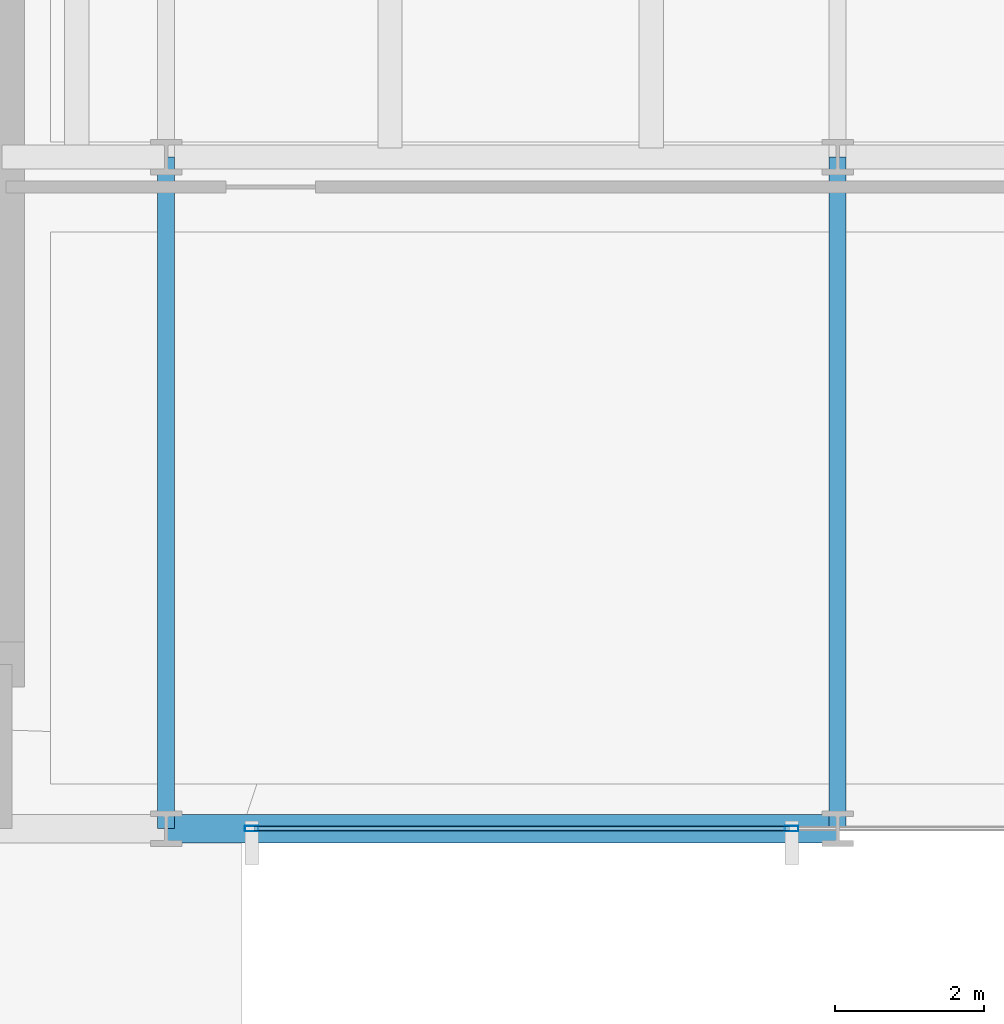
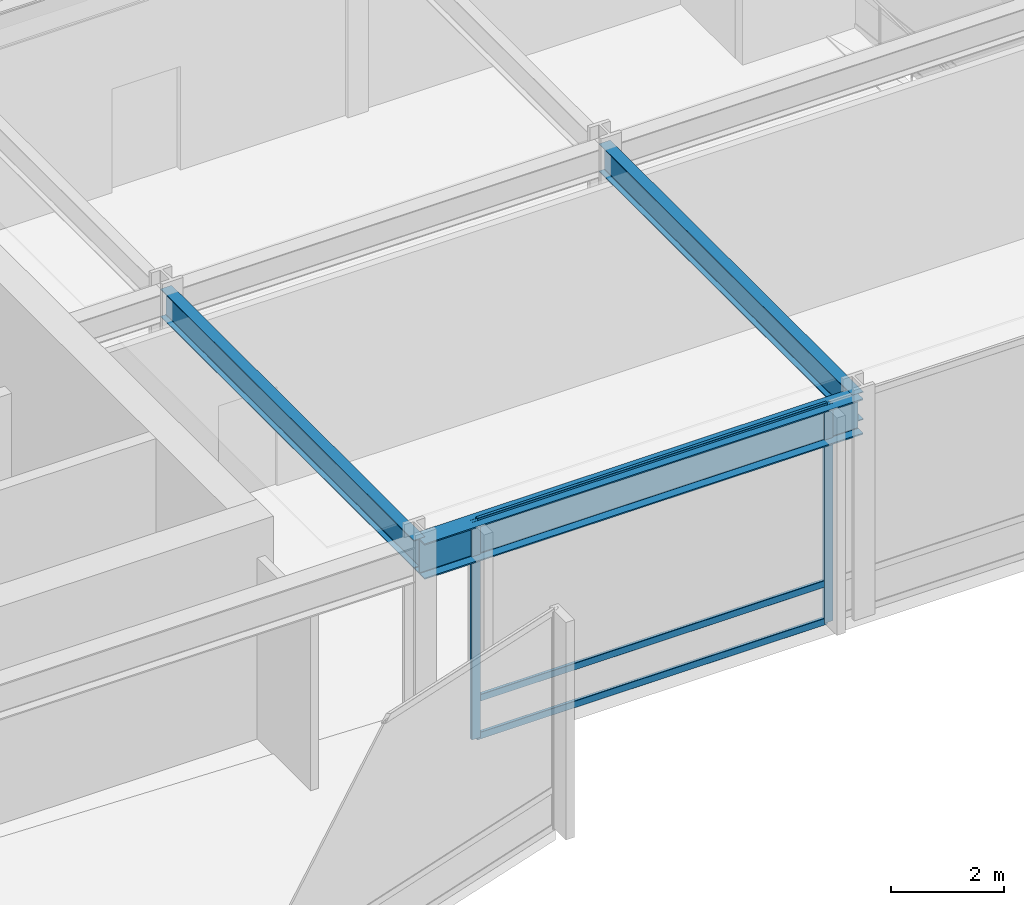
# One storey, part 13 of 39: 5 members, 3 beams, 1 element without a shape of its own.
"""IFC4 building model written with IfcOpenShell, lengths in metres."""

import ifcopenshell
import ifcopenshell.guid

model = None  # the IFC model being written
_history = None  # IfcOwnerHistory: only IFC2X3 demands one
_inside = {}  # id of a spatial element -> (the spatial element, [elements in it])
_under = {}  # id of a project, library or spatial element -> (it, [spatial elements below it])
_declared = {}  # id of a project -> (the project, [libraries it declares])
_typed = {}  # id of a type object -> (the type object, [elements of that type])
_made_of = {}  # id of a material, layer set ... -> (it, [elements and type objects made of it])


def new_model(schema):
    """Start an empty IFC model of exactly this schema.

    Asked for "IFC4X3", IfcOpenShell would pick the latest addendum, in which some entities
    have other attributes; the version numbers below select the first issue.
    IFC2X3 requires an IfcOwnerHistory on every rooted entity: one is made here for all.
    """
    global model, _history
    if schema == "IFC4X3":
        model = ifcopenshell.file(schema_version=(4, 3, 0, 0))
    else:
        model = ifcopenshell.file(schema=schema)
    _inside.clear()
    _under.clear()
    _declared.clear()
    _typed.clear()
    _made_of.clear()
    _history = None
    if model.schema == "IFC2X3":
        org = make("IfcOrganization", Name="unknown")
        user = make(
            "IfcPersonAndOrganization",
            ThePerson=make("IfcPerson", FamilyName="unknown"),
            TheOrganization=org,
        )
        app = make(
            "IfcApplication",
            ApplicationDeveloper=org,
            Version="unknown",
            ApplicationFullName="unknown",
            ApplicationIdentifier="unknown",
        )
        _history = make(
            "IfcOwnerHistory",
            OwningUser=user,
            OwningApplication=app,
            ChangeAction="ADDED",
            CreationDate=0,
        )
    return model


def make(cls, **values):
    """One entity of the class cls with the attributes given. An attribute that is None is left unset."""
    return model.create_entity(
        cls, **{name: value for name, value in values.items() if value is not None}
    )


def rooted(cls, **values):
    """An entity with a GlobalId (a new one), such as an element, a storey or a relation."""
    return make(cls, GlobalId=ifcopenshell.guid.new(), OwnerHistory=_history, **values)


def si_unit(unit_type, name, prefix=None):
    """IfcSIUnit, for example si_unit("LENGTHUNIT", "METRE", prefix="MILLI")."""
    return make("IfcSIUnit", UnitType=unit_type, Prefix=prefix, Name=name)


def assignment(units):
    """IfcUnitAssignment: the units of a project."""
    return None if units is None else make("IfcUnitAssignment", Units=units)


def point(xyz):
    """IfcCartesianPoint."""
    return None if xyz is None else make("IfcCartesianPoint", Coordinates=xyz)


def direction(xyz):
    """IfcDirection."""
    return None if xyz is None else make("IfcDirection", DirectionRatios=xyz)


def frame(location, z_axis=None, x_axis=None):
    """IfcAxis2Placement3D, a coordinate frame: its origin and axes. An axis left out is left unset."""
    return make(
        "IfcAxis2Placement3D",
        Location=point(location),
        Axis=direction(z_axis),
        RefDirection=direction(x_axis),
    )


def frame_2d(location, x_axis=None):
    """IfcAxis2Placement2D, a coordinate frame in the plane: its origin and x axis."""
    return make(
        "IfcAxis2Placement2D", Location=point(location), RefDirection=direction(x_axis)
    )


def origin():
    """The frame at (0, 0, 0) with its axes left unset."""
    return frame((0.0, 0.0, 0.0))


def origin_2d():
    """The frame at (0, 0) in the plane with its x axis left unset."""
    return frame_2d((0.0, 0.0))


def place(relative_to, where):
    """IfcLocalPlacement: puts the frame where relative to a parent placement (None: the world)."""
    return make(
        "IfcLocalPlacement", PlacementRelTo=relative_to, RelativePlacement=where
    )


def context(
    kind, dimensions, precision=None, world=None, true_north=None, identifier=None
):
    """IfcGeometricRepresentationContext, for example the 3D "Model" context."""
    return make(
        "IfcGeometricRepresentationContext",
        ContextIdentifier=identifier,
        ContextType=kind,
        CoordinateSpaceDimension=dimensions,
        Precision=precision,
        WorldCoordinateSystem=world,
        TrueNorth=true_north,
    )


def subcontext(parent, identifier, kind, view, scale=None):
    """IfcGeometricRepresentationSubContext, for example "Body" below "Model"."""
    return make(
        "IfcGeometricRepresentationSubContext",
        ContextIdentifier=identifier,
        ContextType=kind,
        ParentContext=parent,
        TargetScale=scale,
        TargetView=view,
    )


def project(units=None, contexts=None):
    """IfcProject with its units and contexts."""
    return rooted(
        "IfcProject",
        Name="project",
        RepresentationContexts=contexts,
        UnitsInContext=assignment(units),
    )


def spatial(cls, under=None, at=None, **own):
    """A site, building, storey or space (cls), placed at a placement, below another one or the project."""
    s = rooted(cls, ObjectPlacement=at, **own)
    if under is not None:
        _under.setdefault(under.id(), (under, []))[1].append(s)
    return s


def profile(cls, at=None, kind="AREA", **sizes):
    """A parametric profile (cls). Its sizes go by their IFC names, for example OverallWidth=200.0."""
    return make(cls, ProfileType=kind, Position=at, **sizes)


def hollow_rectangle(**sizes):
    """IfcRectangleHollowProfileDef."""
    return profile("IfcRectangleHollowProfileDef", **sizes)


def i_section(**sizes):
    """IfcIShapeProfileDef."""
    return profile("IfcIShapeProfileDef", **sizes)


def extrude(swept, where, along, depth):
    """IfcExtrudedAreaSolid: the profile swept, set in the frame where, extruded along a direction by depth."""
    return make(
        "IfcExtrudedAreaSolid",
        SweptArea=swept,
        Position=where,
        ExtrudedDirection=direction(along),
        Depth=depth,
    )


def shape(context_of_items, identifier, shape_type, items):
    """IfcShapeRepresentation: the items that make up one representation, for example the "Body"."""
    return make(
        "IfcShapeRepresentation",
        ContextOfItems=context_of_items,
        RepresentationIdentifier=identifier,
        RepresentationType=shape_type,
        Items=items,
    )


def material(Name=None, Category=None):
    """IfcMaterial."""
    return make("IfcMaterial", Name=Name, Category=Category)


def layer(
    of_material, thickness, ventilated=None, Name=None, Category=None, Priority=None
):
    """IfcMaterialLayer: one layer of a wall or slab, of a material (None: an air gap)."""
    return make(
        "IfcMaterialLayer",
        Material=of_material,
        LayerThickness=thickness,
        IsVentilated=ventilated,
        Name=Name,
        Category=Category,
        Priority=Priority,
    )


def layer_set(layers, Name=None):
    """IfcMaterialLayerSet."""
    return make("IfcMaterialLayerSet", MaterialLayers=layers, LayerSetName=Name)


def material_profile(
    of_material, cross_section, Name=None, Category=None, Priority=None
):
    """IfcMaterialProfile: a cross section and its material."""
    return make(
        "IfcMaterialProfile",
        Name=Name,
        Material=of_material,
        Profile=cross_section,
        Priority=Priority,
        Category=Category,
    )


def profile_set(profiles, Name=None, composite=None):
    """IfcMaterialProfileSet."""
    return make(
        "IfcMaterialProfileSet",
        Name=Name,
        MaterialProfiles=profiles,
        CompositeProfile=composite,
    )


def made_of(thing, what):
    """Note that an element or type object is made of a material, layer set ...; save() writes the relation."""
    if what is not None:
        _made_of.setdefault(what.id(), (what, []))[1].append(thing)
    return thing


def type_object(cls, material=None, **own):
    """A type object (cls), such as IfcWallType, which elements share."""
    return made_of(rooted(cls, **own), material)


def element(
    cls,
    number,
    at=None,
    inside=None,
    cuts=None,
    type_object=None,
    material=None,
    context=None,
    identifier="Body",
    shape_type=None,
    held_by="IfcProductDefinitionShape",
    body=None,
    shapes=None,
    **own,
):
    """One element of the class cls, such as IfcWall. Its Tag is "e" and its number.

    at: its placement. inside: the storey or other place that contains it. cuts: it is an
    opening in that element (IfcRelVoidsElement). A single representation is given by context,
    identifier, shape_type and body (its items); several are given by shapes. held_by: the class
    of the entity that holds the representations. save() writes the other relations.
    """
    e = rooted(cls, Tag="e%d" % number, ObjectPlacement=at, **own)
    if body is not None:
        shapes = [shape(context, identifier, shape_type, body)]
    if shapes is not None:
        e.Representation = make(held_by, Representations=shapes)
    if inside is not None:
        _inside.setdefault(inside.id(), (inside, []))[1].append(e)
    if cuts is not None:
        rooted(
            "IfcRelVoidsElement", RelatingBuildingElement=cuts, RelatedOpeningElement=e
        )
    if type_object is not None:
        _typed.setdefault(type_object.id(), (type_object, []))[1].append(e)
    return made_of(e, material)


def aggregate(whole, parts):
    """IfcRelAggregates: a whole, such as a stair, and the parts it consists of."""
    return rooted("IfcRelAggregates", RelatingObject=whole, RelatedObjects=parts)


def save(model, path):
    """Write the relations noted so far, then the file.

    IfcRelAggregates (storeys below a building ...), IfcRelContainedInSpatialStructure (elements
    in a storey), IfcRelDefinesByType, IfcRelAssociatesMaterial and IfcRelDeclares: one each for
    every whole, place, type object, material and project.
    """
    for whole, parts in _under.values():
        aggregate(whole, parts)
    for where, things in _inside.values():
        rooted(
            "IfcRelContainedInSpatialStructure",
            RelatedElements=things,
            RelatingStructure=where,
        )
    for kind, things in _typed.values():
        rooted("IfcRelDefinesByType", RelatedObjects=things, RelatingType=kind)
    for what, things in _made_of.values():
        rooted("IfcRelAssociatesMaterial", RelatedObjects=things, RelatingMaterial=what)
    for by, libraries in _declared.values():
        rooted("IfcRelDeclares", RelatingContext=by, RelatedDefinitions=libraries)
    model.write(path)


model = new_model("IFC4")

# Units and contexts
model_context = context("Model", 3, precision=1e-05, world=origin(), true_north=direction((0.0, 1.0)))
body_context = subcontext(model_context, "Body", "Model", "MODEL_VIEW")
ifc_project = project(units=[si_unit("LENGTHUNIT", "METRE"), si_unit("AREAUNIT", "SQUARE_METRE"), si_unit("VOLUMEUNIT", "CUBIC_METRE"), si_unit("PLANEANGLEUNIT", "RADIAN"), si_unit("MASSUNIT", "GRAM", prefix="KILO")], contexts=[model_context])

# Site, building, storey
site_placement = place(None, origin())
site = spatial("IfcSite", under=ifc_project, at=site_placement, CompositionType="ELEMENT")
building_placement = place(site_placement, origin())
building = spatial("IfcBuilding", under=site, at=building_placement, Name="Solvaryn Broadcast Tower", CompositionType="ELEMENT")
storey_placement = place(building_placement, frame((0.0, 0.0, 84.10009765625)))
storey = spatial("IfcBuildingStorey", under=building, at=storey_placement, Name="L20", CompositionType="ELEMENT", Elevation=84.10009765625)

# Beams
ifc_material_1 = material(Name="Steel ASTM A992 Grade 50", Category="steel")
ifc_material_profile_1 = material_profile(ifc_material_1, i_section(OverallWidth=0.22802734375, OverallDepth=0.60791015625, WebThickness=0.01123046875, FlangeThickness=0.017333984375, FilletRadius=0.014892578125, at=origin_2d()))
ifc_profile_set_1 = profile_set([ifc_material_profile_1], Name="Steel ASTM A992 Grade 50")
beam_type_1 = type_object("IfcBeamType", Name="BM-B2-W24X76", PredefinedType="BEAM", material=ifc_profile_set_1)
for number, where, z_axis, x_axis, name in (
    (1, (45.0, 9.0, 4.416015625), (0.0, 1.0, 0.0), (-1.0, 0.0, 0.0), "L20 Primary Beam Y (9-18 @ X=45)"),
    (2, (54.0, 9.0, 4.416015625), (0.0, 1.0, 0.0), (-1.0, 0.0, 0.0), "L20 Primary Beam Y (9-18 @ X=54)"),
):
    element("IfcBeam", number, at=place(storey_placement, frame(where, z_axis=z_axis, x_axis=x_axis)), inside=storey, type_object=beam_type_1, Name=name, PredefinedType="BEAM", context=body_context, shape_type="SweptSolid", body=[
        extrude(i_section(OverallWidth=0.22802734375, OverallDepth=0.60791015625, WebThickness=0.01123046875, FlangeThickness=0.017333984375, FilletRadius=0.014892578125, at=origin_2d()), origin(), (0.0, 0.0, 1.0), 9.0),
    ])
ifc_material_2 = material(Name="Steel ASTM A992 Grade 50", Category="steel")
ifc_material_profile_2 = material_profile(ifc_material_2, i_section(OverallWidth=0.381103515625, OverallDepth=0.77294921875, WebThickness=0.0166015625, FlangeThickness=0.027099609375, FilletRadius=0.01806640625, at=origin_2d()))
ifc_profile_set_2 = profile_set([ifc_material_profile_2], Name="Steel ASTM A992 Grade 50")
beam_type_2 = type_object("IfcBeamType", Name="BM-SP1-W30X173", PredefinedType="USERDEFINED", material=ifc_profile_set_2)
beam_placement = place(storey_placement, frame((45.0, 9.0, 4.33349609375), z_axis=(1.0, 0.0, 0.0), x_axis=(0.0, 1.0, 0.0)))
element("IfcBeam", 3, at=beam_placement, inside=storey, type_object=beam_type_2, Name="L20 Spandrel Beam X (45-54 @ Y=9)", ObjectType="SPANDREL", PredefinedType="USERDEFINED", context=body_context, shape_type="SweptSolid", body=[
    extrude(i_section(OverallWidth=0.381103515625, OverallDepth=0.77294921875, WebThickness=0.0166015625, FlangeThickness=0.027099609375, FilletRadius=0.01806640625, at=origin_2d()), origin(), (0.0, 0.0, 1.0), 9.0),
])

# Curtain wall, members
ifc_material_3 = material(Name="Aluminium and Terracotta Unitised Curtain Wall", Category="masonry")
ifc_layer = layer(ifc_material_3, 0.25)
ifc_layer_set = layer_set([ifc_layer], Name="CW-SYS4-SKYGARDEN")
curtain_wall_type = type_object("IfcCurtainWallType", Name="CW-SYS4-SKYGARDEN", PredefinedType="NOTDEFINED", material=ifc_layer_set)
curtain_wall_placement = place(storey_placement, origin())
curtain_wall = element("IfcCurtainWall", 4, at=curtain_wall_placement, inside=storey, type_object=curtain_wall_type, Name="L20 Curtain Wall S2", PredefinedType="NOTDEFINED")
ifc_material_4 = material(Name="Anodised Aluminium 6063-T6", Category="aluminium")
ifc_material_profile_3 = material_profile(ifc_material_4, hollow_rectangle(XDim=0.074951171875, YDim=0.179931640625, WallThickness=0.00390625, InnerFilletRadius=0.00390625, OuterFilletRadius=0.008056640625, at=origin_2d()))
ifc_profile_set_3 = profile_set([ifc_material_profile_3], Name="Anodised Aluminium 6063-T6")
member_type_1 = type_object("IfcMemberType", Name="CW-MUL-180", PredefinedType="MULLION", material=ifc_profile_set_3)
member_1_placement = place(storey_placement, frame((46.14599609375, 9.0, 0.0), z_axis=(0.0, 0.0, 1.0), x_axis=(0.0, 1.0, 0.0)))
member_1 = element("IfcMember", 5, at=member_1_placement, type_object=member_type_1, Name="CWS4 mullion 1", PredefinedType="MULLION", context=body_context, shape_type="SweptSolid", body=[
    extrude(hollow_rectangle(XDim=0.074951171875, YDim=0.179931640625, WallThickness=0.00390625, InnerFilletRadius=0.00390625, OuterFilletRadius=0.008056640625, at=origin_2d()), origin(), (0.0, 0.0, 1.0), 4.719970703125),
])
member_2_placement = place(storey_placement, frame((53.383056640625, 9.0, 0.0), z_axis=(0.0, 0.0, 1.0), x_axis=(0.0, 1.0, 0.0)))
member_2 = element("IfcMember", 6, at=member_2_placement, type_object=member_type_1, Name="CWS4 mullion 2", PredefinedType="MULLION", context=body_context, shape_type="SweptSolid", body=[
    extrude(hollow_rectangle(XDim=0.074951171875, YDim=0.179931640625, WallThickness=0.00390625, InnerFilletRadius=0.00390625, OuterFilletRadius=0.008056640625, at=origin_2d()), origin(), (0.0, 0.0, 1.0), 4.719970703125),
])
ifc_material_5 = material(Name="Anodised Aluminium 6063-T6", Category="aluminium")
ifc_material_profile_4 = material_profile(ifc_material_5, hollow_rectangle(XDim=0.06494140625, YDim=0.14990234375, WallThickness=0.00390625, InnerFilletRadius=0.00390625, OuterFilletRadius=0.008056640625, at=origin_2d()))
ifc_profile_set_4 = profile_set([ifc_material_profile_4], Name="Anodised Aluminium 6063-T6")
member_type_2 = type_object("IfcMemberType", Name="CW-TRN-150", PredefinedType="USERDEFINED", material=ifc_profile_set_4)
member_3_placement = place(storey_placement, frame((46.176025390625, 9.0, 0.02978515625), z_axis=(1.0, 0.0, 0.0), x_axis=(0.0, 1.0, 0.0)))
member_3 = element("IfcMember", 7, at=member_3_placement, type_object=member_type_2, Name="CWS4 transom 1.1", ObjectType="TRANSOM", PredefinedType="USERDEFINED", context=body_context, shape_type="SweptSolid", body=[
    extrude(hollow_rectangle(XDim=0.06494140625, YDim=0.14990234375, WallThickness=0.00390625, InnerFilletRadius=0.00390625, OuterFilletRadius=0.008056640625, at=origin_2d()), origin(), (0.0, 0.0, 1.0), 7.177001953125),
])
member_4_placement = place(storey_placement, frame((46.176025390625, 9.0, 0.849853515625), z_axis=(1.0, 0.0, 0.0), x_axis=(0.0, 1.0, 0.0)))
member_4 = element("IfcMember", 8, at=member_4_placement, type_object=member_type_2, Name="CWS4 transom 1.2", ObjectType="TRANSOM", PredefinedType="USERDEFINED", context=body_context, shape_type="SweptSolid", body=[
    extrude(hollow_rectangle(XDim=0.06494140625, YDim=0.14990234375, WallThickness=0.00390625, InnerFilletRadius=0.00390625, OuterFilletRadius=0.008056640625, at=origin_2d()), origin(), (0.0, 0.0, 1.0), 7.177001953125),
])
member_5_placement = place(storey_placement, frame((46.176025390625, 9.0, 4.68994140625), z_axis=(1.0, 0.0, 0.0), x_axis=(0.0, 1.0, 0.0)))
member_5 = element("IfcMember", 9, at=member_5_placement, type_object=member_type_2, Name="CWS4 transom 1.3", ObjectType="TRANSOM", PredefinedType="USERDEFINED", context=body_context, shape_type="SweptSolid", body=[
    extrude(hollow_rectangle(XDim=0.06494140625, YDim=0.14990234375, WallThickness=0.00390625, InnerFilletRadius=0.00390625, OuterFilletRadius=0.008056640625, at=origin_2d()), origin(), (0.0, 0.0, 1.0), 7.177001953125),
])
aggregate(curtain_wall, [member_1, member_2, member_3, member_4, member_5])

save(model, "model.ifc")
